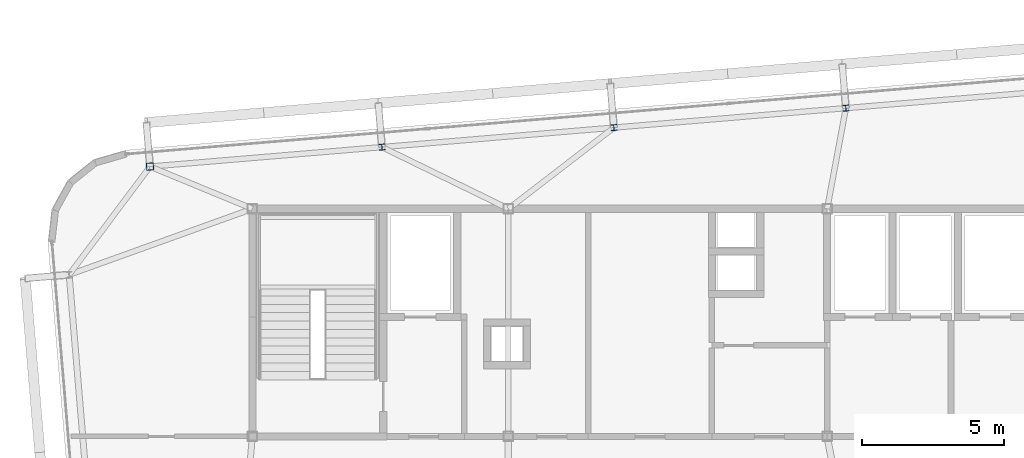
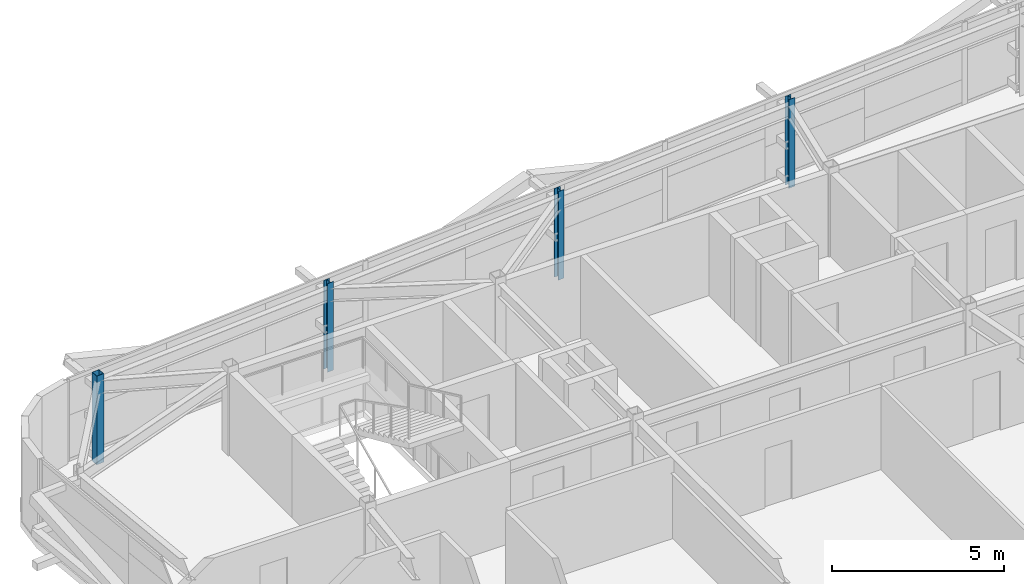
# One storey, part 5 of 39: 4 columns.
"""IFC4 building model written with IfcOpenShell, lengths in metres."""

import ifcopenshell
import ifcopenshell.guid

model = None  # the IFC model being written
_history = None  # IfcOwnerHistory: only IFC2X3 demands one
_inside = {}  # id of a spatial element -> (the spatial element, [elements in it])
_under = {}  # id of a project, library or spatial element -> (it, [spatial elements below it])
_declared = {}  # id of a project -> (the project, [libraries it declares])
_typed = {}  # id of a type object -> (the type object, [elements of that type])
_made_of = {}  # id of a material, layer set ... -> (it, [elements and type objects made of it])


def new_model(schema):
    """Start an empty IFC model of exactly this schema.

    Asked for "IFC4X3", IfcOpenShell would pick the latest addendum, in which some entities
    have other attributes; the version numbers below select the first issue.
    IFC2X3 requires an IfcOwnerHistory on every rooted entity: one is made here for all.
    """
    global model, _history
    if schema == "IFC4X3":
        model = ifcopenshell.file(schema_version=(4, 3, 0, 0))
    else:
        model = ifcopenshell.file(schema=schema)
    _inside.clear()
    _under.clear()
    _declared.clear()
    _typed.clear()
    _made_of.clear()
    _history = None
    if model.schema == "IFC2X3":
        org = make("IfcOrganization", Name="unknown")
        user = make(
            "IfcPersonAndOrganization",
            ThePerson=make("IfcPerson", FamilyName="unknown"),
            TheOrganization=org,
        )
        app = make(
            "IfcApplication",
            ApplicationDeveloper=org,
            Version="unknown",
            ApplicationFullName="unknown",
            ApplicationIdentifier="unknown",
        )
        _history = make(
            "IfcOwnerHistory",
            OwningUser=user,
            OwningApplication=app,
            ChangeAction="ADDED",
            CreationDate=0,
        )
    return model


def make(cls, **values):
    """One entity of the class cls with the attributes given. An attribute that is None is left unset."""
    return model.create_entity(
        cls, **{name: value for name, value in values.items() if value is not None}
    )


def rooted(cls, **values):
    """An entity with a GlobalId (a new one), such as an element, a storey or a relation."""
    return make(cls, GlobalId=ifcopenshell.guid.new(), OwnerHistory=_history, **values)


def si_unit(unit_type, name, prefix=None):
    """IfcSIUnit, for example si_unit("LENGTHUNIT", "METRE", prefix="MILLI")."""
    return make("IfcSIUnit", UnitType=unit_type, Prefix=prefix, Name=name)


def assignment(units):
    """IfcUnitAssignment: the units of a project."""
    return None if units is None else make("IfcUnitAssignment", Units=units)


def point(xyz):
    """IfcCartesianPoint."""
    return None if xyz is None else make("IfcCartesianPoint", Coordinates=xyz)


def direction(xyz):
    """IfcDirection."""
    return None if xyz is None else make("IfcDirection", DirectionRatios=xyz)


def frame(location, z_axis=None, x_axis=None):
    """IfcAxis2Placement3D, a coordinate frame: its origin and axes. An axis left out is left unset."""
    return make(
        "IfcAxis2Placement3D",
        Location=point(location),
        Axis=direction(z_axis),
        RefDirection=direction(x_axis),
    )


def frame_2d(location, x_axis=None):
    """IfcAxis2Placement2D, a coordinate frame in the plane: its origin and x axis."""
    return make(
        "IfcAxis2Placement2D", Location=point(location), RefDirection=direction(x_axis)
    )


def origin():
    """The frame at (0, 0, 0) with its axes left unset."""
    return frame((0.0, 0.0, 0.0))


def origin_2d():
    """The frame at (0, 0) in the plane with its x axis left unset."""
    return frame_2d((0.0, 0.0))


def place(relative_to, where):
    """IfcLocalPlacement: puts the frame where relative to a parent placement (None: the world)."""
    return make(
        "IfcLocalPlacement", PlacementRelTo=relative_to, RelativePlacement=where
    )


def context(
    kind, dimensions, precision=None, world=None, true_north=None, identifier=None
):
    """IfcGeometricRepresentationContext, for example the 3D "Model" context."""
    return make(
        "IfcGeometricRepresentationContext",
        ContextIdentifier=identifier,
        ContextType=kind,
        CoordinateSpaceDimension=dimensions,
        Precision=precision,
        WorldCoordinateSystem=world,
        TrueNorth=true_north,
    )


def subcontext(parent, identifier, kind, view, scale=None):
    """IfcGeometricRepresentationSubContext, for example "Body" below "Model"."""
    return make(
        "IfcGeometricRepresentationSubContext",
        ContextIdentifier=identifier,
        ContextType=kind,
        ParentContext=parent,
        TargetScale=scale,
        TargetView=view,
    )


def project(units=None, contexts=None):
    """IfcProject with its units and contexts."""
    return rooted(
        "IfcProject",
        Name="project",
        RepresentationContexts=contexts,
        UnitsInContext=assignment(units),
    )


def spatial(cls, under=None, at=None, **own):
    """A site, building, storey or space (cls), placed at a placement, below another one or the project."""
    s = rooted(cls, ObjectPlacement=at, **own)
    if under is not None:
        _under.setdefault(under.id(), (under, []))[1].append(s)
    return s


def profile(cls, at=None, kind="AREA", **sizes):
    """A parametric profile (cls). Its sizes go by their IFC names, for example OverallWidth=200.0."""
    return make(cls, ProfileType=kind, Position=at, **sizes)


def hollow_rectangle(**sizes):
    """IfcRectangleHollowProfileDef."""
    return profile("IfcRectangleHollowProfileDef", **sizes)


def i_section(**sizes):
    """IfcIShapeProfileDef."""
    return profile("IfcIShapeProfileDef", **sizes)


def extrude(swept, where, along, depth):
    """IfcExtrudedAreaSolid: the profile swept, set in the frame where, extruded along a direction by depth."""
    return make(
        "IfcExtrudedAreaSolid",
        SweptArea=swept,
        Position=where,
        ExtrudedDirection=direction(along),
        Depth=depth,
    )


def shape(context_of_items, identifier, shape_type, items):
    """IfcShapeRepresentation: the items that make up one representation, for example the "Body"."""
    return make(
        "IfcShapeRepresentation",
        ContextOfItems=context_of_items,
        RepresentationIdentifier=identifier,
        RepresentationType=shape_type,
        Items=items,
    )


def source(mapping_origin, context_of_items, identifier, shape_type, items):
    """IfcRepresentationMap: a shape defined once, which mapped items show again and again."""
    return make(
        "IfcRepresentationMap",
        MappingOrigin=mapping_origin,
        MappedRepresentation=shape(context_of_items, identifier, shape_type, items),
    )


def transform(
    local_origin,
    x_axis=None,
    y_axis=None,
    z_axis=None,
    scale=None,
    scale2=None,
    scale3=None,
    uniform=True,
):
    """IfcCartesianTransformationOperator3D, or its non-uniform kind. x_axis, y_axis, z_axis: its Axis1, 2, 3."""
    if uniform:
        return make(
            "IfcCartesianTransformationOperator3D",
            Axis1=direction(x_axis),
            Axis2=direction(y_axis),
            LocalOrigin=point(local_origin),
            Scale=scale,
            Axis3=direction(z_axis),
        )
    return make(
        "IfcCartesianTransformationOperator3DnonUniform",
        Axis1=direction(x_axis),
        Axis2=direction(y_axis),
        LocalOrigin=point(local_origin),
        Scale=scale,
        Axis3=direction(z_axis),
        Scale2=scale2,
        Scale3=scale3,
    )


def mapped(mapping_source, mapping_target):
    """IfcMappedItem: shows the shape of a source again, moved by a transform."""
    return make(
        "IfcMappedItem", MappingSource=mapping_source, MappingTarget=mapping_target
    )


def material(Name=None, Category=None):
    """IfcMaterial."""
    return make("IfcMaterial", Name=Name, Category=Category)


def material_profile(
    of_material, cross_section, Name=None, Category=None, Priority=None
):
    """IfcMaterialProfile: a cross section and its material."""
    return make(
        "IfcMaterialProfile",
        Name=Name,
        Material=of_material,
        Profile=cross_section,
        Priority=Priority,
        Category=Category,
    )


def profile_set(profiles, Name=None, composite=None):
    """IfcMaterialProfileSet."""
    return make(
        "IfcMaterialProfileSet",
        Name=Name,
        MaterialProfiles=profiles,
        CompositeProfile=composite,
    )


def made_of(thing, what):
    """Note that an element or type object is made of a material, layer set ...; save() writes the relation."""
    if what is not None:
        _made_of.setdefault(what.id(), (what, []))[1].append(thing)
    return thing


def type_object(cls, material=None, **own):
    """A type object (cls), such as IfcWallType, which elements share."""
    return made_of(rooted(cls, **own), material)


def element(
    cls,
    number,
    at=None,
    inside=None,
    cuts=None,
    type_object=None,
    material=None,
    context=None,
    identifier="Body",
    shape_type=None,
    held_by="IfcProductDefinitionShape",
    body=None,
    shapes=None,
    **own,
):
    """One element of the class cls, such as IfcWall. Its Tag is "e" and its number.

    at: its placement. inside: the storey or other place that contains it. cuts: it is an
    opening in that element (IfcRelVoidsElement). A single representation is given by context,
    identifier, shape_type and body (its items); several are given by shapes. held_by: the class
    of the entity that holds the representations. save() writes the other relations.
    """
    e = rooted(cls, Tag="e%d" % number, ObjectPlacement=at, **own)
    if body is not None:
        shapes = [shape(context, identifier, shape_type, body)]
    if shapes is not None:
        e.Representation = make(held_by, Representations=shapes)
    if inside is not None:
        _inside.setdefault(inside.id(), (inside, []))[1].append(e)
    if cuts is not None:
        rooted(
            "IfcRelVoidsElement", RelatingBuildingElement=cuts, RelatedOpeningElement=e
        )
    if type_object is not None:
        _typed.setdefault(type_object.id(), (type_object, []))[1].append(e)
    return made_of(e, material)


def aggregate(whole, parts):
    """IfcRelAggregates: a whole, such as a stair, and the parts it consists of."""
    return rooted("IfcRelAggregates", RelatingObject=whole, RelatedObjects=parts)


def save(model, path):
    """Write the relations noted so far, then the file.

    IfcRelAggregates (storeys below a building ...), IfcRelContainedInSpatialStructure (elements
    in a storey), IfcRelDefinesByType, IfcRelAssociatesMaterial and IfcRelDeclares: one each for
    every whole, place, type object, material and project.
    """
    for whole, parts in _under.values():
        aggregate(whole, parts)
    for where, things in _inside.values():
        rooted(
            "IfcRelContainedInSpatialStructure",
            RelatedElements=things,
            RelatingStructure=where,
        )
    for kind, things in _typed.values():
        rooted("IfcRelDefinesByType", RelatedObjects=things, RelatingType=kind)
    for what, things in _made_of.values():
        rooted("IfcRelAssociatesMaterial", RelatedObjects=things, RelatingMaterial=what)
    for by, libraries in _declared.values():
        rooted("IfcRelDeclares", RelatingContext=by, RelatedDefinitions=libraries)
    model.write(path)


model = new_model("IFC4")

# Units and contexts
model_context = context("Model", 3, precision=1e-05, world=origin(), true_north=direction((0.0, 1.0)))
body_context = subcontext(model_context, "Body", "Model", "MODEL_VIEW")
ifc_project = project(units=[si_unit("LENGTHUNIT", "METRE"), si_unit("AREAUNIT", "SQUARE_METRE"), si_unit("VOLUMEUNIT", "CUBIC_METRE"), si_unit("PLANEANGLEUNIT", "RADIAN"), si_unit("MASSUNIT", "GRAM", prefix="KILO")], contexts=[model_context])

# Site, building, storey
site_placement = place(None, origin())
site = spatial("IfcSite", under=ifc_project, at=site_placement, CompositionType="ELEMENT")
building_placement = place(site_placement, origin())
building = spatial("IfcBuilding", under=site, at=building_placement, Name="Taldren Reach Tower", CompositionType="ELEMENT")
storey_placement = place(building_placement, frame((0.0, 0.0, 175.699951171875)))
storey = spatial("IfcBuildingStorey", under=building, at=storey_placement, Name="L53", CompositionType="ELEMENT", Elevation=175.699951171875)

# Columns
ifc_material_1 = material(Name="Steel Gr 350 (C350L0)", Category="steel")
ifc_material_profile_1 = material_profile(ifc_material_1, hollow_rectangle(XDim=0.25, YDim=0.25, WallThickness=0.010009765625, at=origin_2d()), Name="250x250x10.0SHS")
ifc_profile_set_1 = profile_set([ifc_material_profile_1], Name="Steel Gr 350 (C350L0)")
column_type_1 = type_object("IfcColumnType", Name="COL-SHS250", PredefinedType="COLUMN", material=ifc_profile_set_1)
shared_shape_1 = source(origin(), body_context, "Body", "SweptSolid", [
    extrude(hollow_rectangle(XDim=0.25, YDim=0.25, WallThickness=0.010009765625, at=origin_2d()), origin(), (0.0, 0.0, 1.0), 3.150146484375),
])
column_placement = place(storey_placement, frame((15.40380859375, 33.483642578125, 0.0), z_axis=(0.0, 0.0, 1.0), x_axis=(0.99649285925, 0.083677843332, 0.0)))
element("IfcColumn", 1, at=column_placement, inside=storey, type_object=column_type_1, Name="Block B4 perimeter column N1 L53", PredefinedType="COLUMN", context=body_context, shape_type="MappedRepresentation", body=[
    mapped(shared_shape_1, transform((0.0, 0.0, 0.0), scale=1.0)),
])
ifc_material_2 = material(Name="Steel Gr 350 (350PLUS)", Category="steel")
ifc_material_profile_2 = material_profile(ifc_material_2, i_section(OverallWidth=0.205078125, OverallDepth=0.2099609375, WebThickness=0.00927734375, FlangeThickness=0.01416015625, at=origin_2d()), Name="200UC59.5")
ifc_profile_set_2 = profile_set([ifc_material_profile_2], Name="Steel Gr 350 (350PLUS)")
column_type_2 = type_object("IfcColumnType", Name="COL-UC200", PredefinedType="COLUMN", material=ifc_profile_set_2)
shared_shape_2 = source(origin(), body_context, "Body", "SweptSolid", [
    extrude(i_section(OverallWidth=0.205078125, OverallDepth=0.2099609375, WebThickness=0.00927734375, FlangeThickness=0.01416015625, at=origin_2d()), origin(), (0.0, 0.0, 1.0), 3.150146484375),
])
for number, where, z_axis, x_axis, name in (
    (2, (23.55517578125, 34.16796875, 0.0), (0.0, 0.0, 1.0), (0.99649285925, 0.083677843332, 0.0), "Block B4 perimeter column N2 L53"),
    (3, (31.706298828125, 34.8525390625, 0.0), (0.0, 0.0, 1.0), (0.99649285925, 0.083677843332, 0.0), "Block B4 perimeter column N3 L53"),
    (4, (39.857666015625, 35.537109375, 0.0), (0.0, 0.0, 1.0), (0.99649285925, 0.083677843332, 0.0), "Block B4 perimeter column N4 L53"),
):
    element("IfcColumn", number, at=place(storey_placement, frame(where, z_axis=z_axis, x_axis=x_axis)), inside=storey, type_object=column_type_2, Name=name, PredefinedType="COLUMN", context=body_context, shape_type="MappedRepresentation", body=[
        mapped(shared_shape_2, transform((0.0, 0.0, 0.0), scale=1.0)),
    ])

save(model, "model.ifc")
